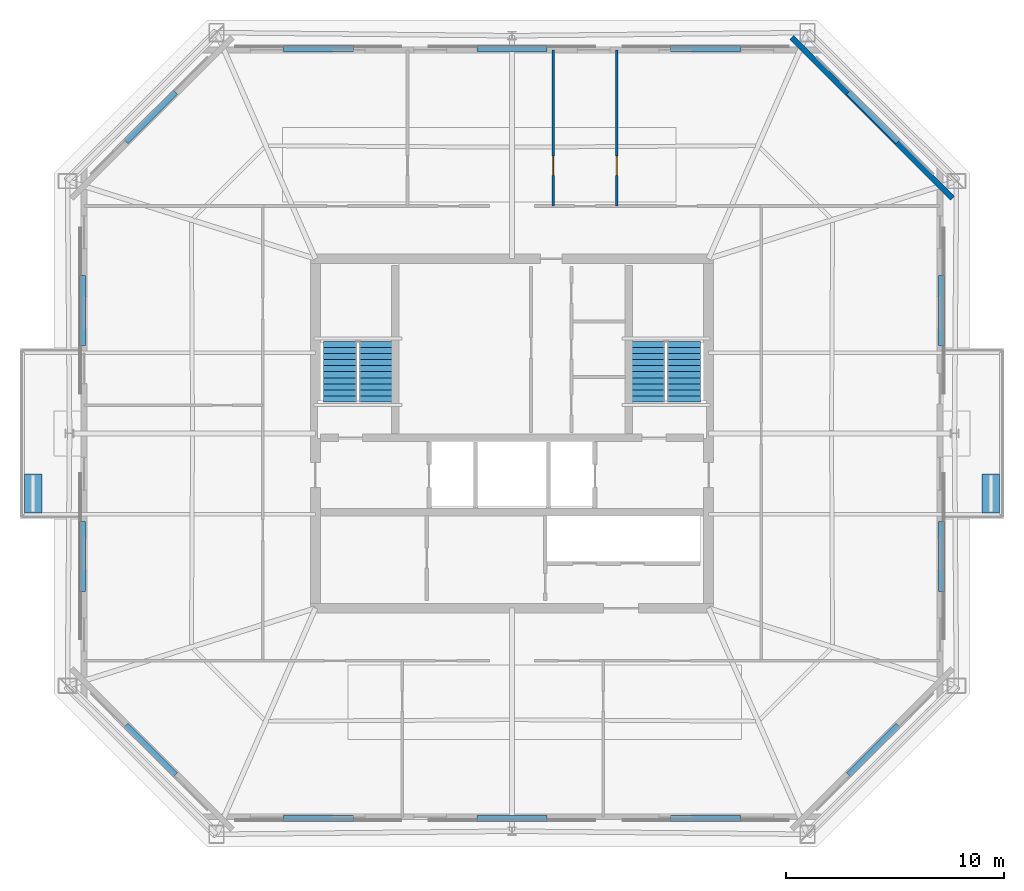
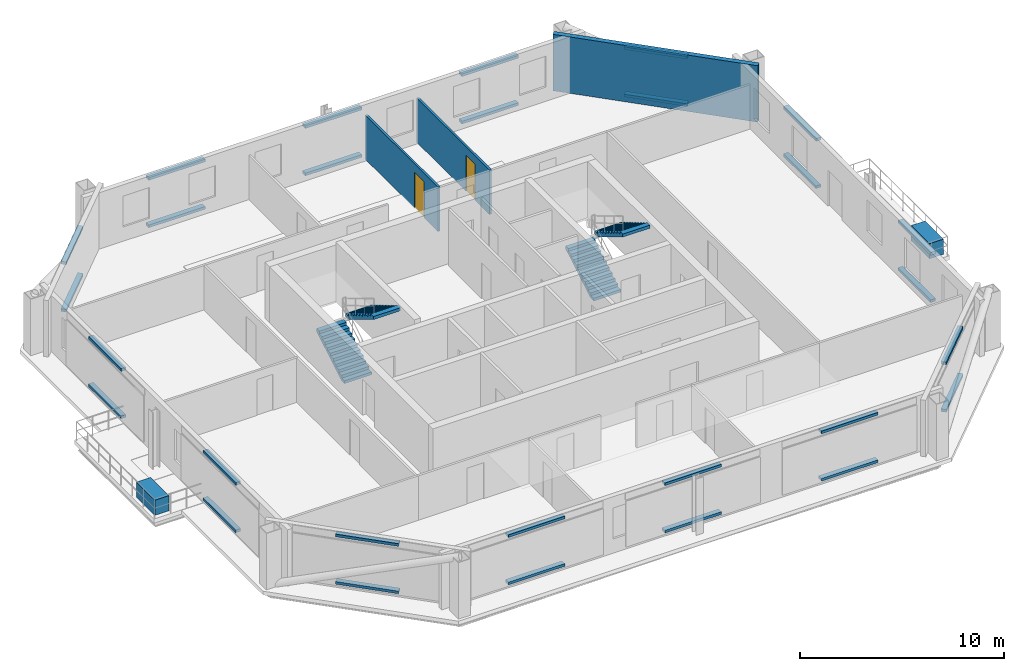
# One storey, part 5 of 7: 30 discrete accessories, 4 stair flights, 3 walls, 2 doors, 2 openings, 2 elements without a shape of their own.
"""IFC4 building model written with IfcOpenShell, lengths in metres."""

from ifc_helpers import new_model, si_unit, direction, frame, frame_2d, origin, origin_2d, place, context, subcontext, project, spatial, polyline, rectangle, outline, extrude, material, layer, layer_set, type_object, element, fill, aggregate, save


model = new_model("IFC4")

# Units and contexts
model_context = context("Model", 3, precision=1e-05, world=origin(), true_north=direction((0.0, 1.0)))
body_context = subcontext(model_context, "Body", "Model", "MODEL_VIEW")
ifc_project = project(units=[si_unit("LENGTHUNIT", "METRE"), si_unit("AREAUNIT", "SQUARE_METRE"), si_unit("VOLUMEUNIT", "CUBIC_METRE"), si_unit("PLANEANGLEUNIT", "RADIAN"), si_unit("MASSUNIT", "GRAM", prefix="KILO")], contexts=[model_context])

# Site, building, storey
site_placement = place(None, origin())
site = spatial("IfcSite", under=ifc_project, at=site_placement, CompositionType="ELEMENT")
building_placement = place(site_placement, origin())
building = spatial("IfcBuilding", under=site, at=building_placement, Name="Caelvoria Tower", CompositionType="ELEMENT")
storey_placement = place(building_placement, frame((0.0, 0.0, 220.199951171875)))
storey = spatial("IfcBuildingStorey", under=building, at=storey_placement, Name="L58", CompositionType="ELEMENT", Elevation=220.199951171875)

# Wall, opening, door
ifc_material_1 = material(Name="Acoustic Gypsum Board on Light-Gauge Stud", Category="gypsum")
ifc_layer_1 = layer(ifc_material_1, 0.1201171875, Name="Acoustic Gypsum Board on Light-Gauge Stud")
ifc_layer_set_1 = layer_set([ifc_layer_1], Name="Tenant Suite Acoustic Partition Wall 120 - Acoustic Gypsum Board on Light-Gauge Stud")
wall_type_1 = type_object("IfcWallType", Name="Tenant Suite Acoustic Partition Wall 120", PredefinedType="PARTITIONING", material=ifc_layer_set_1)
wall_1_placement = place(storey_placement, frame((47.884521484375, 42.409912109375, 0.0), z_axis=(0.0, 0.0, 1.0), x_axis=(0.0, 1.0, 0.0)))
wall_1 = element("IfcWall", 1, at=wall_1_placement, inside=storey, type_object=wall_type_1, Name="Interior Partition IW-L58-ND-01-0", PredefinedType="PARTITIONING", context=body_context, shape_type="SweptSolid", body=[
    extrude(rectangle(XDim=7.137451171875, YDim=0.1201171875, at=frame_2d((3.56884765625, 0.0))), origin(), (0.0, 0.0, 1.0), 2.655029296875),
])
opening_1_placement = place(wall_1_placement, frame((1.39990234375, 0.0, 0.0)))
opening_1 = element("IfcOpeningElement", 2, at=opening_1_placement, cuts=wall_1, Name="Opening ID-06", PredefinedType="OPENING", context=body_context, shape_type="SweptSolid", body=[
    extrude(rectangle(XDim=0.89990234375, YDim=2.14990234375, at=frame_2d((0.449951171875, 1.074951171875))), frame((0.0, 0.070068359375, 0.0), z_axis=(0.0, -1.0, 0.0), x_axis=(1.0, 0.0, 0.0)), (0.0, 0.0, 1.0), 0.14013671875),
])
ifc_material_2 = material(Name="Engineered Andean Oak Veneer Door", Category="wood")
door_type = type_object("IfcDoorType", Name="Interior Timber Door 900x2150", OperationType="NOTDEFINED", PredefinedType="DOOR", material=ifc_material_2)
door_1_placement = place(opening_1_placement, origin())
door_1 = element("IfcDoor", 3, at=door_1_placement, inside=storey, type_object=door_type, Name="Interior Door DR-L58-NM-01-0", OperationType="SINGLE_SWING_LEFT", OverallHeight=2.14990234375, OverallWidth=0.89990234375, PredefinedType="DOOR", context=body_context, shape_type="SweptSolid", body=[
    extrude(rectangle(XDim=0.89990234375, YDim=2.14990234375, at=frame_2d((0.449951171875, 1.074951171875))), frame((0.0, 0.02490234375, 0.0), z_axis=(0.0, -1.0, 0.0), x_axis=(1.0, 0.0, 0.0)), (0.0, 0.0, 1.0), 0.050048828125),
])
fill(opening_1, door_1)

wall_2_placement = place(storey_placement, frame((50.796875, 42.409912109375, 0.0), z_axis=(0.0, 0.0, 1.0), x_axis=(0.0, 1.0, 0.0)))
wall_2 = element("IfcWall", 4, at=wall_2_placement, inside=storey, type_object=wall_type_1, Name="Interior Partition IW-L58-ND-02-0", PredefinedType="PARTITIONING", context=body_context, shape_type="SweptSolid", body=[
    extrude(rectangle(XDim=7.137451171875, YDim=0.1201171875, at=frame_2d((3.56884765625, 0.0))), origin(), (0.0, 0.0, 1.0), 2.655029296875),
])
opening_2_placement = place(wall_2_placement, frame((1.39990234375, 0.0, 0.0)))
opening_2 = element("IfcOpeningElement", 5, at=opening_2_placement, cuts=wall_2, Name="Opening ID-06", PredefinedType="OPENING", context=body_context, shape_type="SweptSolid", body=[
    extrude(rectangle(XDim=0.89990234375, YDim=2.14990234375, at=frame_2d((0.449951171875, 1.074951171875))), frame((0.0, 0.070068359375, 0.0), z_axis=(0.0, -1.0, 0.0), x_axis=(1.0, 0.0, 0.0)), (0.0, 0.0, 1.0), 0.14013671875),
])
door_2_placement = place(opening_2_placement, origin())
door_2 = element("IfcDoor", 6, at=door_2_placement, inside=storey, type_object=door_type, Name="Interior Door DR-L58-NM-02-0", OperationType="SINGLE_SWING_RIGHT", OverallHeight=2.14990234375, OverallWidth=0.89990234375, PredefinedType="DOOR", context=body_context, shape_type="SweptSolid", body=[
    extrude(rectangle(XDim=0.89990234375, YDim=2.14990234375, at=frame_2d((0.449951171875, 1.074951171875))), frame((0.0, 0.02490234375, 0.0), z_axis=(0.0, -1.0, 0.0), x_axis=(1.0, 0.0, 0.0)), (0.0, 0.0, 1.0), 0.050048828125),
])
fill(opening_2, door_2)

# Wall
ifc_material_3 = material(Name="Precast Concrete C40/50 with Bronze Cladding", Category="concrete")
ifc_layer_2 = layer(ifc_material_3, 0.264892578125, Name="Precast Concrete C40/50 with Bronze Cladding")
ifc_layer_set_2 = layer_set([ifc_layer_2], Name="Upper Taper Precast Concrete C40/50 Bronze Facade Wall 265 - Precast Concrete C40/50 with Bronze Cladding")
wall_type_2 = type_object("IfcWallType", Name="Upper Taper Precast Concrete C40/50 Bronze Facade Wall 265", PredefinedType="STANDARD", material=ifc_layer_set_2)
wall_3_placement = place(storey_placement, frame((66.16650390625, 42.763671875, 0.0), z_axis=(0.0, 0.0, 1.0), x_axis=(-0.707106781187, 0.707106781187, 0.0)))
element("IfcWall", 7, at=wall_3_placement, inside=storey, type_object=wall_type_2, Name="Exterior Facade Wall L58-E3", PredefinedType="STANDARD", context=body_context, shape_type="SweptSolid", body=[
    extrude(rectangle(XDim=10.405029296875, YDim=0.264892578125, at=frame_2d((5.20263671875, 0.0))), origin(), (0.0, 0.0, 1.0), 3.375),
])

# Stair, stair flights
ifc_material_4 = material(Name="Concrete C40/50", Category="concrete")
stair_type = type_object("IfcStairType", Name="Core Smokeproof Dogleg Stair Concrete C40/50", PredefinedType="HALF_TURN_STAIR", material=ifc_material_4)
stair_1_placement = place(storey_placement, origin())
stair_1 = element("IfcStair", 8, at=stair_1_placement, inside=storey, type_object=stair_type, Name="ST-01 Smokeproof Exit Stair L58", PredefinedType="HALF_TURN_STAIR")
ifc_material_5 = material(Name="Precast Concrete C40/50", Category="concrete")
stair_flight_type = type_object("IfcStairFlightType", Name="Precast Concrete C40/50 Stair Flight 1480", PredefinedType="STRAIGHT", material=ifc_material_5)
stair_flight_1_placement = place(storey_placement, frame((38.1298828125, 33.449951171875, 0.0), z_axis=(0.0, 0.0, 1.0), x_axis=(0.0, 1.0, 0.0)))
stair_flight_1 = element("IfcStairFlight", 9, at=stair_flight_1_placement, type_object=stair_flight_type, Name="ST-01 flight 1", NumberOfRisers=11, NumberOfTreads=10, PredefinedType="STRAIGHT", RiserHeight=0.1636, TreadLength=0.275, context=body_context, shape_type="SweptSolid", body=[
    extrude(outline(polyline([(0.0, 0.0), (0.0, 0.16357421875), (0.27490234375, 0.16357421875), (0.27490234375, 0.3271484375), (0.550048828125, 0.3271484375), (0.550048828125, 0.49072265625), (0.824951171875, 0.49072265625), (0.824951171875, 0.654296875), (1.10009765625, 0.654296875), (1.10009765625, 0.818115234375), (1.375, 0.818115234375), (1.375, 0.981689453125), (1.64990234375, 0.981689453125), (1.64990234375, 1.145263671875), (1.925048828125, 1.145263671875), (1.925048828125, 1.308837890625), (2.199951171875, 1.308837890625), (2.199951171875, 1.472412109375), (2.47509765625, 1.472412109375), (2.47509765625, 1.635986328125), (2.75, 1.635986328125), (2.75, 1.799560546875), (2.75, 1.449951171875), (0.312744140625, 0.0), (0.0, 0.0)])), frame((0.0, 0.77001953125, 0.0), z_axis=(0.0, -1.0, 0.0), x_axis=(1.0, 0.0, 0.0)), (0.0, 0.0, 1.0), 1.5400390625),
])
stair_flight_2_placement = place(storey_placement, frame((39.77001953125, 36.199951171875, 1.800048828125), z_axis=(0.0, 0.0, 1.0), x_axis=(0.0, -1.0, 0.0)))
stair_flight_2 = element("IfcStairFlight", 10, at=stair_flight_2_placement, type_object=stair_flight_type, Name="ST-01 flight 2", NumberOfRisers=11, NumberOfTreads=10, PredefinedType="STRAIGHT", RiserHeight=0.1636, TreadLength=0.275, context=body_context, shape_type="SweptSolid", body=[
    extrude(outline(polyline([(0.0, 0.0), (0.0, 0.16357421875), (0.27490234375, 0.16357421875), (0.27490234375, 0.3271484375), (0.550048828125, 0.3271484375), (0.550048828125, 0.49072265625), (0.824951171875, 0.49072265625), (0.824951171875, 0.654296875), (1.10009765625, 0.654296875), (1.10009765625, 0.818115234375), (1.375, 0.818115234375), (1.375, 0.981689453125), (1.64990234375, 0.981689453125), (1.64990234375, 1.145263671875), (1.925048828125, 1.145263671875), (1.925048828125, 1.308837890625), (2.199951171875, 1.308837890625), (2.199951171875, 1.472412109375), (2.47509765625, 1.472412109375), (2.47509765625, 1.635986328125), (2.75, 1.635986328125), (2.75, 1.799560546875), (2.75, 1.449951171875), (0.312744140625, 0.0), (0.0, 0.0)])), frame((0.0, 0.77001953125, 0.0), z_axis=(0.0, -1.0, 0.0), x_axis=(1.0, 0.0, 0.0)), (0.0, 0.0, 1.0), 1.5400390625),
])
aggregate(stair_1, [stair_flight_1, stair_flight_2])

stair_2_placement = place(storey_placement, origin())
stair_2 = element("IfcStair", 11, at=stair_2_placement, inside=storey, type_object=stair_type, Name="ST-02 Smokeproof Exit Stair L58", PredefinedType="HALF_TURN_STAIR")
stair_flight_3_placement = place(storey_placement, frame((52.22998046875, 33.449951171875, 0.0), z_axis=(0.0, 0.0, 1.0), x_axis=(0.0, 1.0, 0.0)))
stair_flight_3 = element("IfcStairFlight", 12, at=stair_flight_3_placement, type_object=stair_flight_type, Name="ST-02 flight 1", NumberOfRisers=11, NumberOfTreads=10, PredefinedType="STRAIGHT", RiserHeight=0.1636, TreadLength=0.275, context=body_context, shape_type="SweptSolid", body=[
    extrude(outline(polyline([(0.0, 0.0), (0.0, 0.16357421875), (0.27490234375, 0.16357421875), (0.27490234375, 0.3271484375), (0.550048828125, 0.3271484375), (0.550048828125, 0.49072265625), (0.824951171875, 0.49072265625), (0.824951171875, 0.654296875), (1.10009765625, 0.654296875), (1.10009765625, 0.818115234375), (1.375, 0.818115234375), (1.375, 0.981689453125), (1.64990234375, 0.981689453125), (1.64990234375, 1.145263671875), (1.925048828125, 1.145263671875), (1.925048828125, 1.308837890625), (2.199951171875, 1.308837890625), (2.199951171875, 1.472412109375), (2.47509765625, 1.472412109375), (2.47509765625, 1.635986328125), (2.75, 1.635986328125), (2.75, 1.799560546875), (2.75, 1.449951171875), (0.312744140625, 0.0), (0.0, 0.0)])), frame((0.0, 0.77001953125, 0.0), z_axis=(0.0, -1.0, 0.0), x_axis=(1.0, 0.0, 0.0)), (0.0, 0.0, 1.0), 1.5400390625),
])
stair_flight_4_placement = place(storey_placement, frame((53.8701171875, 36.199951171875, 1.800048828125), z_axis=(0.0, 0.0, 1.0), x_axis=(0.0, -1.0, 0.0)))
stair_flight_4 = element("IfcStairFlight", 13, at=stair_flight_4_placement, type_object=stair_flight_type, Name="ST-02 flight 2", NumberOfRisers=11, NumberOfTreads=10, PredefinedType="STRAIGHT", RiserHeight=0.1636, TreadLength=0.275, context=body_context, shape_type="SweptSolid", body=[
    extrude(outline(polyline([(0.0, 0.0), (0.0, 0.16357421875), (0.27490234375, 0.16357421875), (0.27490234375, 0.3271484375), (0.550048828125, 0.3271484375), (0.550048828125, 0.49072265625), (0.824951171875, 0.49072265625), (0.824951171875, 0.654296875), (1.10009765625, 0.654296875), (1.10009765625, 0.818115234375), (1.375, 0.818115234375), (1.375, 0.981689453125), (1.64990234375, 0.981689453125), (1.64990234375, 1.145263671875), (1.925048828125, 1.145263671875), (1.925048828125, 1.308837890625), (2.199951171875, 1.308837890625), (2.199951171875, 1.472412109375), (2.47509765625, 1.472412109375), (2.47509765625, 1.635986328125), (2.75, 1.635986328125), (2.75, 1.799560546875), (2.75, 1.449951171875), (0.312744140625, 0.0), (0.0, 0.0)])), frame((0.0, 0.77001953125, 0.0), z_axis=(0.0, -1.0, 0.0), x_axis=(1.0, 0.0, 0.0)), (0.0, 0.0, 1.0), 1.5400390625),
])
aggregate(stair_2, [stair_flight_3, stair_flight_4])

# Discrete accessories
ifc_material_6 = material(Name="Anodised Bronze Stainless Bracket", Category="bronze")
discrete_accessory_type_1 = type_object("IfcDiscreteAccessoryType", Name="Solar Screen Outrigger Support Bracket", PredefinedType="BRACKET", material=ifc_material_6)
for number, where, z_axis, x_axis, name in (
    (14, (37.136962890625, 14.3798828125, 0.240234375), (0.0, 0.0, 1.0), (1.0, 0.0, 0.0), "Solar Screen Bracket L58-E0-00"),
    (15, (37.136962890625, 14.3798828125, 3.0751953125), (0.0, 0.0, 1.0), (1.0, 0.0, 0.0), "Upper Screen Band Bracket L58-E0-00"),
    (16, (46.0, 14.3798828125, 0.240234375), (0.0, 0.0, 1.0), (1.0, 0.0, 0.0), "Solar Screen Bracket L58-E0-01"),
    (17, (46.0, 14.3798828125, 3.0751953125), (0.0, 0.0, 1.0), (1.0, 0.0, 0.0), "Upper Screen Band Bracket L58-E0-01"),
    (18, (54.863037109375, 14.3798828125, 0.240234375), (0.0, 0.0, 1.0), (1.0, 0.0, 0.0), "Solar Screen Bracket L58-E0-02"),
    (19, (54.863037109375, 14.3798828125, 3.0751953125), (0.0, 0.0, 1.0), (1.0, 0.0, 0.0), "Upper Screen Band Bracket L58-E0-02"),
    (20, (62.539306640625, 17.506103515625, 0.240234375), (0.0, 0.0, 1.0), (0.707106781187, 0.707106781187, 0.0), "Solar Screen Bracket L58-E1-00"),
    (21, (62.539306640625, 17.506103515625, 3.0751953125), (0.0, 0.0, 1.0), (0.707106781187, 0.707106781187, 0.0), "Upper Screen Band Bracket L58-E1-00"),
    (22, (65.66552734375, 26.37548828125, 0.240234375), (0.0, 0.0, 1.0), (0.0, 1.0, 0.0), "Solar Screen Bracket L58-E2-00"),
    (23, (65.66552734375, 26.37548828125, 3.0751953125), (0.0, 0.0, 1.0), (0.0, 1.0, 0.0), "Upper Screen Band Bracket L58-E2-00"),
    (24, (65.66552734375, 37.62451171875, 0.240234375), (0.0, 0.0, 1.0), (0.0, 1.0, 0.0), "Solar Screen Bracket L58-E2-01"),
    (25, (65.66552734375, 37.62451171875, 3.0751953125), (0.0, 0.0, 1.0), (0.0, 1.0, 0.0), "Upper Screen Band Bracket L58-E2-01"),
    (26, (62.539306640625, 46.493896484375, 0.240234375), (0.0, 0.0, 1.0), (-0.707106781187, 0.707106781187, 0.0), "Solar Screen Bracket L58-E3-00"),
    (27, (62.539306640625, 46.493896484375, 3.0751953125), (0.0, 0.0, 1.0), (-0.707106781187, 0.707106781187, 0.0), "Upper Screen Band Bracket L58-E3-00"),
    (28, (54.863037109375, 49.6201171875, 0.240234375), (0.0, 0.0, 1.0), (-1.0, 0.0, 0.0), "Solar Screen Bracket L58-E4-00"),
    (29, (54.863037109375, 49.6201171875, 3.0751953125), (0.0, 0.0, 1.0), (-1.0, 0.0, 0.0), "Upper Screen Band Bracket L58-E4-00"),
    (30, (46.0, 49.6201171875, 0.240234375), (0.0, 0.0, 1.0), (-1.0, 0.0, 0.0), "Solar Screen Bracket L58-E4-01"),
    (31, (46.0, 49.6201171875, 3.0751953125), (0.0, 0.0, 1.0), (-1.0, 0.0, 0.0), "Upper Screen Band Bracket L58-E4-01"),
    (32, (37.136962890625, 49.6201171875, 0.240234375), (0.0, 0.0, 1.0), (-1.0, 0.0, 0.0), "Solar Screen Bracket L58-E4-02"),
    (33, (37.136962890625, 49.6201171875, 3.0751953125), (0.0, 0.0, 1.0), (-1.0, 0.0, 0.0), "Upper Screen Band Bracket L58-E4-02"),
    (34, (29.460693359375, 46.493896484375, 0.240234375), (0.0, 0.0, 1.0), (-0.707106781187, -0.707106781187, 0.0), "Solar Screen Bracket L58-E5-00"),
    (35, (29.460693359375, 46.493896484375, 3.0751953125), (0.0, 0.0, 1.0), (-0.707106781187, -0.707106781187, 0.0), "Upper Screen Band Bracket L58-E5-00"),
    (36, (26.33447265625, 37.62451171875, 0.240234375), (0.0, 0.0, 1.0), (0.0, -1.0, 0.0), "Solar Screen Bracket L58-E6-00"),
    (37, (26.33447265625, 37.62451171875, 3.0751953125), (0.0, 0.0, 1.0), (0.0, -1.0, 0.0), "Upper Screen Band Bracket L58-E6-00"),
    (38, (26.33447265625, 26.37548828125, 0.240234375), (0.0, 0.0, 1.0), (0.0, -1.0, 0.0), "Solar Screen Bracket L58-E6-01"),
    (39, (26.33447265625, 26.37548828125, 3.0751953125), (0.0, 0.0, 1.0), (0.0, -1.0, 0.0), "Upper Screen Band Bracket L58-E6-01"),
    (40, (29.460693359375, 17.506103515625, 0.240234375), (0.0, 0.0, 1.0), (0.707106781187, -0.707106781187, 0.0), "Solar Screen Bracket L58-E7-00"),
    (41, (29.460693359375, 17.506103515625, 3.0751953125), (0.0, 0.0, 1.0), (0.707106781187, -0.707106781187, 0.0), "Upper Screen Band Bracket L58-E7-00"),
):
    element("IfcDiscreteAccessory", number, at=place(storey_placement, frame(where, z_axis=z_axis, x_axis=x_axis)), inside=storey, type_object=discrete_accessory_type_1, Name=name, PredefinedType="BRACKET", context=body_context, shape_type="SweptSolid", body=[
        extrude(rectangle(XDim=3.199951171875, YDim=0.280029296875, at=origin_2d()), origin(), (0.0, 0.0, 1.0), 0.159912109375),
    ])
ifc_material_7 = material(Name="Bronze-Clad Concrete C40/50 Planter Vessel", Category="concrete")
discrete_accessory_type_2 = type_object("IfcDiscreteAccessoryType", Name="Tree Balcony Structural Planter Vessel PLANTER", PredefinedType="USERDEFINED", material=ifc_material_7)
for number, where, z_axis, x_axis, name in (
    (42, (24.077392578125, 29.25, 0.0), (0.0, 0.0, 1.0), (0.0, 1.0, 0.0), "Tree Balcony Planter TB-L58-W"),
    (43, (67.922607421875, 29.25, 0.0), (0.0, 0.0, 1.0), (0.0, 1.0, 0.0), "Tree Balcony Planter TB-L58-E"),
):
    element("IfcDiscreteAccessory", number, at=place(storey_placement, frame(where, z_axis=z_axis, x_axis=x_axis)), inside=storey, type_object=discrete_accessory_type_2, Name=name, ObjectType="PLANTER", PredefinedType="USERDEFINED", context=body_context, shape_type="SweptSolid", body=[
        extrude(rectangle(XDim=1.800048828125, YDim=0.800048828125, at=origin_2d()), origin(), (0.0, 0.0, 1.0), 0.89990234375),
    ])

save(model, "model.ifc")
